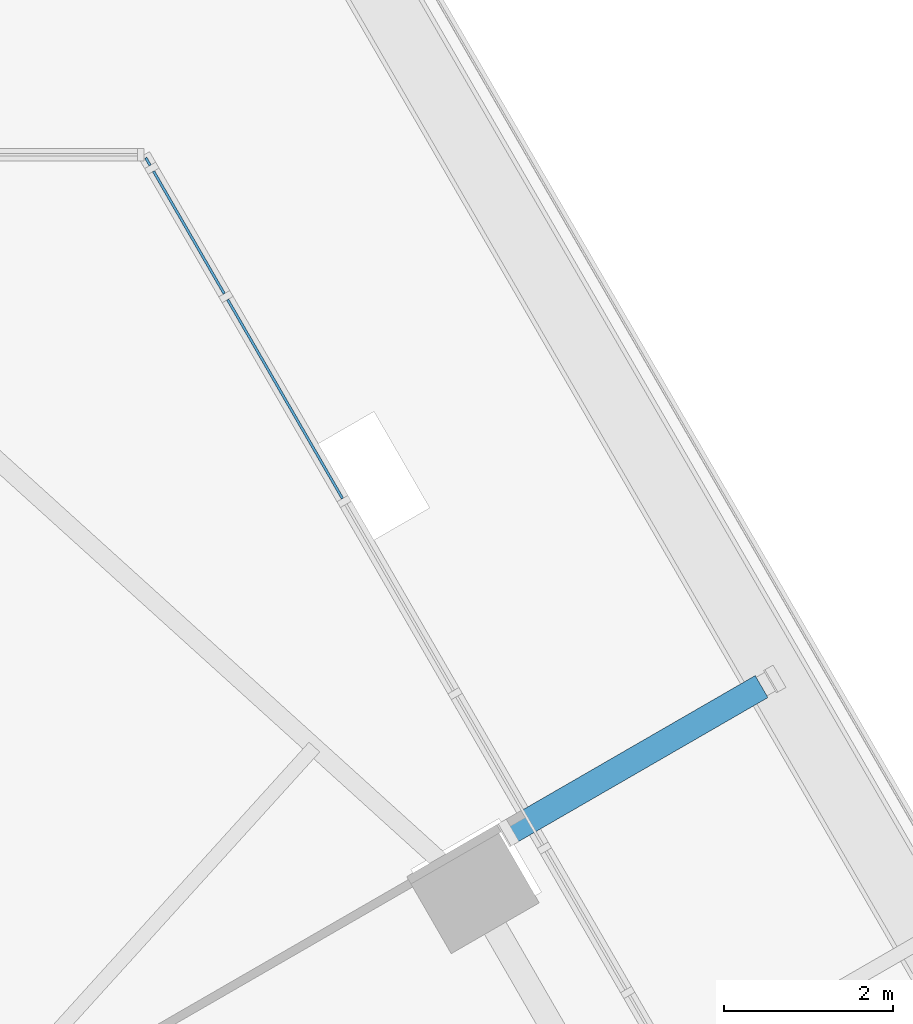
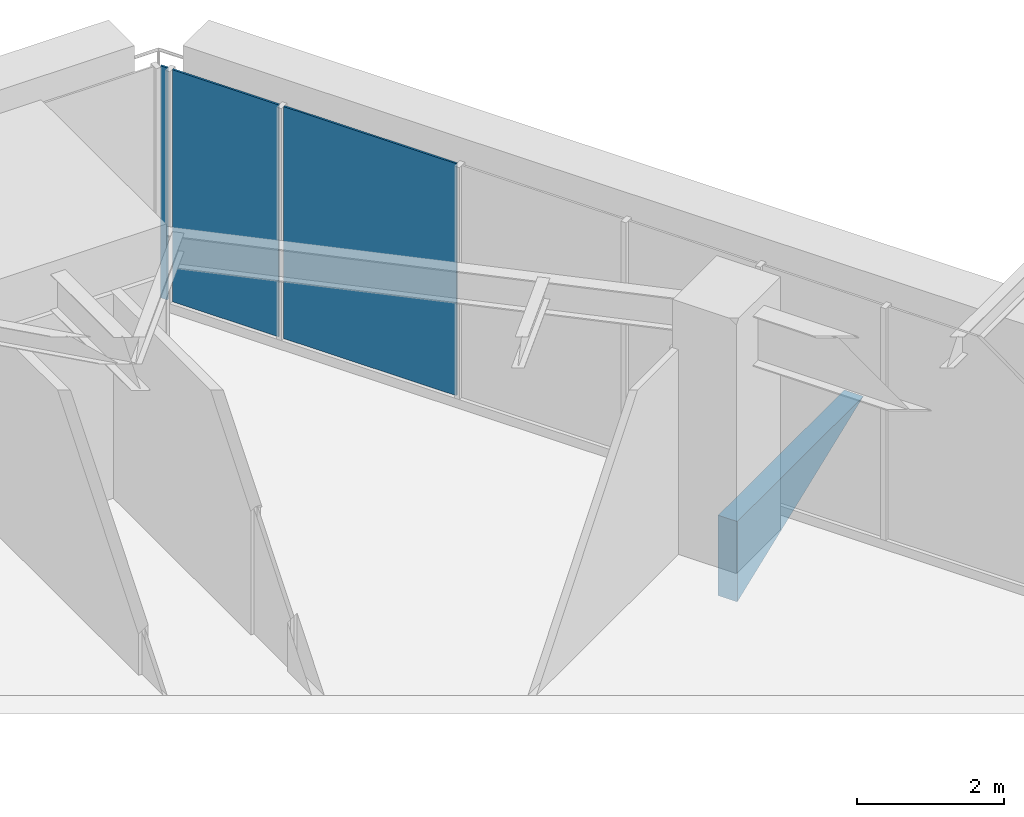
# One storey, part 19 of 29: 4 plates, 1 element without a shape of its own.
"""IFC4 building model written with IfcOpenShell, lengths in metres."""

from ifc_helpers import new_model, si_unit, direction, frame, origin, place, context, subcontext, project, spatial, polyline, outline, extrude, material, layer, layer_set, type_object, element, aggregate, save


model = new_model("IFC4")

# Units and contexts
model_context = context("Model", 3, precision=1e-05, world=origin(), true_north=direction((0.0, 1.0)))
body_context = subcontext(model_context, "Body", "Model", "MODEL_VIEW")
ifc_project = project(units=[si_unit("LENGTHUNIT", "METRE"), si_unit("AREAUNIT", "SQUARE_METRE"), si_unit("VOLUMEUNIT", "CUBIC_METRE"), si_unit("PLANEANGLEUNIT", "RADIAN"), si_unit("MASSUNIT", "GRAM", prefix="KILO")], contexts=[model_context])

# Site, building, storey
site_placement = place(None, origin())
site = spatial("IfcSite", under=ifc_project, at=site_placement, CompositionType="ELEMENT")
building_placement = place(site_placement, origin())
building = spatial("IfcBuilding", under=site, at=building_placement, Name="Firuza Gate Tower and Library", CompositionType="ELEMENT")
storey_placement = place(building_placement, frame((0.0, 0.0, 82.0)))
storey = spatial("IfcBuildingStorey", under=building, at=storey_placement, Name="L18", CompositionType="ELEMENT", Elevation=82.0)

# Curtain wall, plates
ifc_material_1 = material(Name="Aluminium 6063-T6", Category="aluminium")
ifc_layer_1 = layer(ifc_material_1, 0.14990234375)
ifc_layer_set_1 = layer_set([ifc_layer_1], Name="Unitised curtain wall, offices")
curtain_wall_type = type_object("IfcCurtainWallType", Name="Unitised curtain wall, offices", PredefinedType="NOTDEFINED", material=ifc_layer_set_1)
curtain_wall_placement = place(storey_placement, origin())
curtain_wall = element("IfcCurtainWall", 1, at=curtain_wall_placement, inside=storey, type_object=curtain_wall_type, Name="CW1 L18 E face", PredefinedType="NOTDEFINED")
ifc_material_2 = material(Name="Fritted glass", Category="glass")
ifc_layer_2 = layer(ifc_material_2, 0.030029296875)
ifc_layer_set_2 = layer_set([ifc_layer_2], Name="Fritted glass unit, offices")
plate_type_1 = type_object("IfcPlateType", Name="Fritted glass unit, offices", PredefinedType="CURTAIN_PANEL", material=ifc_layer_set_2)
plate_1_placement = place(storey_placement, frame((79.602783203125, 108.209228515625, 0.14990234375), z_axis=(0.866029728377, 0.499992509511, 0.0), x_axis=(-0.499992509511, 0.866029728377, 0.0)))
plate_1 = element("IfcPlate", 2, at=plate_1_placement, type_object=plate_type_1, Name="Glass unit", PredefinedType="CURTAIN_PANEL", context=body_context, shape_type="SweptSolid", body=[
    extrude(outline(polyline([(0.0, 0.0), (1.669458603873834, 0.0), (1.669458603873834, 3.850097656250001), (0.0, 3.850097656250001), (0.0, 0.0)])), origin(), (0.0, 0.0, -1.0), 0.030029296875),
])
ifc_material_3 = material(Name="Glazed ceramic tile")
ifc_layer_3 = layer(ifc_material_3, 0.030029296875)
ifc_layer_set_3 = layer_set([ifc_layer_3], Name="Opaque ceramic panel, offices")
plate_type_2 = type_object("IfcPlateType", Name="Opaque ceramic panel, offices", PredefinedType="CURTAIN_PANEL", material=ifc_layer_set_3)
plate_2_placement = place(storey_placement, frame((80.9990234375, 105.791259765625, 0.14990234375), z_axis=(0.865990693744, 0.500060114735, 0.0), x_axis=(-0.500060114735, 0.865990693744, 0.0)))
plate_2 = element("IfcPlate", 3, at=plate_2_placement, type_object=plate_type_2, Name="Opaque ceramic panel", PredefinedType="CURTAIN_PANEL", context=body_context, shape_type="SweptSolid", body=[
    extrude(outline(polyline([(0.0, 0.0), (2.712076272258357, 0.0), (2.712076272258357, 3.850097656250001), (0.0, 3.850097656250001), (0.0, 0.0)])), origin(), (0.0, 0.0, -1.0), 0.030029296875),
])
plate_3_placement = place(storey_placement, frame((78.72802734375, 109.724365234375, 0.14990234375), z_axis=(0.865910493709, 0.500198977292, 0.0), x_axis=(-0.500198977292, 0.865910493709, 0.0)))
plate_3 = element("IfcPlate", 4, at=plate_3_placement, type_object=plate_type_2, Name="Opaque ceramic panel", PredefinedType="CURTAIN_PANEL", context=body_context, shape_type="SweptSolid", body=[
    extrude(outline(polyline([(0.0, 0.0), (0.10347444686944572, 0.0), (0.10347444686944572, 3.850097656250001), (0.0, 3.850097656250001), (0.0, 0.0)])), origin(), (0.0, 0.0, -1.0), 0.030029296875),
])
aggregate(curtain_wall, [plate_2, plate_1, plate_3])

# Plate
ifc_material_4 = material(Name="Steel S355", Category="steel")
ifc_layer_4 = layer(ifc_material_4, 0.300048828125)
ifc_layer_set_4 = layer_set([ifc_layer_4], Name="Tray bracket web 300 Steel S355")
plate_type_3 = type_object("IfcPlateType", Name="Tray bracket web 300 Steel S355", PredefinedType="SHEET", material=ifc_layer_set_4)
plate_4_placement = place(storey_placement, frame((82.887939453125, 101.97900390625, -0.199951171875), z_axis=(-0.500081895979, 0.865978115955, 0.0), x_axis=(0.865978115955, 0.500081895979, 0.0)))
element("IfcPlate", 5, at=plate_4_placement, inside=storey, type_object=plate_type_3, Name="Tray bracket web L18 col:L17:E5", PredefinedType="SHEET", context=body_context, shape_type="SweptSolid", body=[
    extrude(outline(polyline([(0.0, 0.0), (3.429614038049955, 0.0), (0.0, 1.333984375), (0.0, 0.0)])), origin(), (0.0, 0.0, -1.0), 0.300048828125),
])

save(model, "model.ifc")
